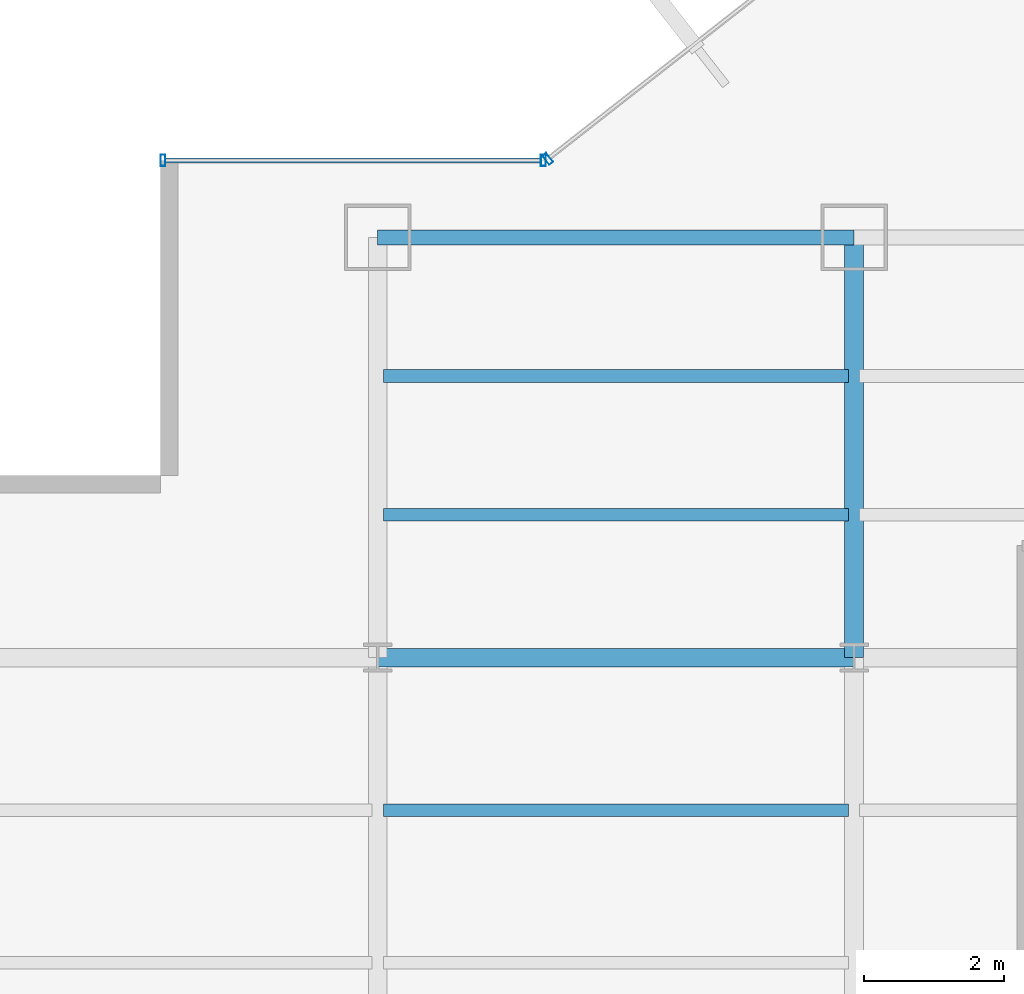
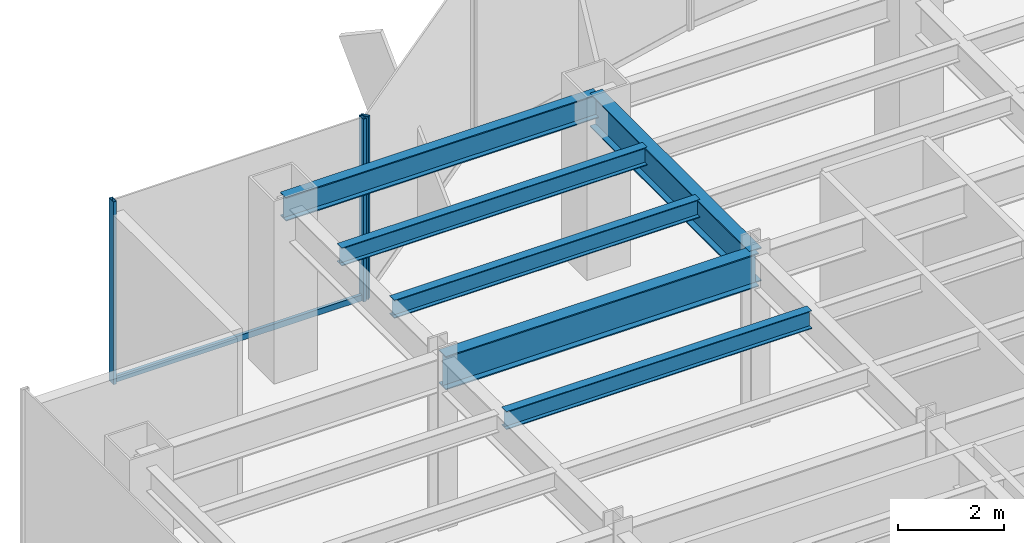
# One storey, part 17 of 35: 6 beams, 4 members, 2 elements without a shape of their own.
"""IFC4 building model written with IfcOpenShell, lengths in metres."""

from ifc_helpers import new_model, si_unit, derived_unit, direction, frame, origin, origin_2d, place, context, subcontext, project, spatial, hollow_rectangle, i_section, extrude, source, transform, mapped, material, material_profile, profile_set, type_object, element, aggregate, save


model = new_model("IFC4")

# Units and contexts
model_context = context("Model", 3, precision=1e-05, world=origin(), true_north=direction((0.0, 1.0)))
body_context = subcontext(model_context, "Body", "Model", "MODEL_VIEW")
ifc_project = project(units=[si_unit("LENGTHUNIT", "METRE"), si_unit("AREAUNIT", "SQUARE_METRE"), si_unit("VOLUMEUNIT", "CUBIC_METRE"), si_unit("PLANEANGLEUNIT", "RADIAN"), si_unit("MASSUNIT", "GRAM", prefix="KILO"), derived_unit("THERMALTRANSMITTANCEUNIT", [(si_unit("POWERUNIT", "WATT"), 1), (si_unit("LENGTHUNIT", "METRE"), -2), (si_unit("THERMODYNAMICTEMPERATUREUNIT", "KELVIN"), -1)])], contexts=[model_context])

# Site, building, storey
site_placement = place(None, origin())
site = spatial("IfcSite", under=ifc_project, at=site_placement, CompositionType="ELEMENT")
building_placement = place(site_placement, origin())
building = spatial("IfcBuilding", under=site, at=building_placement, Name="Skarnbrae Concourse Arena and Tower", CompositionType="ELEMENT")
storey_placement = place(building_placement, frame((0.0, 0.0, 79.949951171875)))
storey = spatial("IfcBuildingStorey", under=building, at=storey_placement, Name="L19", CompositionType="ELEMENT", Elevation=79.949951171875)

# Beams
ifc_material_1 = material(Name="Steel CSA G40.21 350W", Category="steel")
ifc_material_profile_1 = material_profile(ifc_material_1, i_section(OverallWidth=0.26806640625, OverallDepth=0.77001953125, WebThickness=0.015625, FlangeThickness=0.025390625, at=origin_2d()), Name="W760X196")
ifc_profile_set_1 = profile_set([ifc_material_profile_1], Name="Steel CSA G40.21 350W")
beam_type_1 = type_object("IfcBeamType", Name="BM-GIRD-W760X196", PredefinedType="BEAM", material=ifc_profile_set_1)
shared_shape_1 = source(origin(), body_context, "Body", "SweptSolid", [
    extrude(i_section(OverallWidth=0.26806640625, OverallDepth=0.77001953125, WebThickness=0.015625, FlangeThickness=0.025390625, at=origin_2d()), origin(), (0.0, 0.0, 1.0), 6.7998046875),
])
beam_1_placement = place(storey_placement, frame((7.60009765625, 34.39990234375, 3.51513671875), z_axis=(1.0, 0.0, 0.0), x_axis=(0.0, 1.0, 0.0)))
element("IfcBeam", 1, at=beam_1_placement, inside=storey, type_object=beam_type_1, Name="L19 Primary E-W girder Y34.4-2", PredefinedType="BEAM", context=body_context, shape_type="MappedRepresentation", body=[
    mapped(shared_shape_1, transform((0.0, 0.0, 0.0))),
])
shared_shape_2 = source(origin(), body_context, "Body", "SweptSolid", [
    extrude(i_section(OverallWidth=0.26806640625, OverallDepth=0.77001953125, WebThickness=0.015625, FlangeThickness=0.025390625, at=origin_2d()), origin(), (0.0, 0.0, 1.0), 6.0),
])
beam_2_placement = place(storey_placement, frame((14.39990234375, 34.39990234375, 3.51513671875), z_axis=(0.0, 1.0, 0.0), x_axis=(-1.0, 0.0, 0.0)))
element("IfcBeam", 2, at=beam_2_placement, inside=storey, type_object=beam_type_1, Name="L19 Primary N-S girder X14.4-4", PredefinedType="BEAM", context=body_context, shape_type="MappedRepresentation", body=[
    mapped(shared_shape_2, transform((0.0, 0.0, 0.0))),
])
ifc_material_profile_2 = material_profile(ifc_material_1, i_section(OverallWidth=0.214111328125, OverallDepth=0.549072265625, WebThickness=0.0146484375, FlangeThickness=0.023681640625, at=origin_2d()), Name="W530X138")
ifc_profile_set_2 = profile_set([ifc_material_profile_2], Name="Steel CSA G40.21 350W")
beam_type_2 = type_object("IfcBeamType", Name="BM-SPAN-W530X138", PredefinedType="SPANDREL", material=ifc_profile_set_2)
shared_shape_3 = source(origin(), body_context, "Body", "SweptSolid", [
    extrude(i_section(OverallWidth=0.214111328125, OverallDepth=0.549072265625, WebThickness=0.0146484375, FlangeThickness=0.023681640625, at=origin_2d()), origin(), (0.0, 0.0, 1.0), 6.7998046875),
])
beam_3_placement = place(storey_placement, frame((7.60009765625, 40.39990234375, 3.62548828125), z_axis=(1.0, 0.0, 0.0), x_axis=(0.0, 1.0, 0.0)))
element("IfcBeam", 3, at=beam_3_placement, inside=storey, type_object=beam_type_2, Name="L19 Perimeter spandrel Y40.4-1", PredefinedType="SPANDREL", context=body_context, shape_type="MappedRepresentation", body=[
    mapped(shared_shape_3, transform((0.0, 0.0, 0.0))),
])
ifc_material_profile_3 = material_profile(ifc_material_1, i_section(OverallWidth=0.180908203125, OverallDepth=0.4169921875, WebThickness=0.010986328125, FlangeThickness=0.018310546875, at=origin_2d()), Name="W410X85")
ifc_profile_set_3 = profile_set([ifc_material_profile_3], Name="Steel CSA G40.21 350W")
beam_type_3 = type_object("IfcBeamType", Name="BM-JOIST-W410X85", PredefinedType="JOIST", material=ifc_profile_set_3)
shared_shape_4 = source(origin(), body_context, "Body", "SweptSolid", [
    extrude(i_section(OverallWidth=0.180908203125, OverallDepth=0.4169921875, WebThickness=0.010986328125, FlangeThickness=0.018310546875, at=origin_2d()), origin(), (0.0, 0.0, 1.0), 6.64013671875),
])
for number, where, z_axis, x_axis, name in (
    (4, (7.679931640625, 32.221923828125, 3.691650390625), (1.0, 0.0, 0.0), (0.0, 1.0, 0.0), "L19 Secondary floor joist 3.2.2"),
    (5, (7.679931640625, 36.43994140625, 3.691650390625), (1.0, 0.0, 0.0), (0.0, 1.0, 0.0), "L19 Secondary floor joist 4.1.1"),
    (6, (7.679931640625, 38.419921875, 3.691650390625), (1.0, 0.0, 0.0), (0.0, 1.0, 0.0), "L19 Secondary floor joist 4.2.1"),
):
    element("IfcBeam", number, at=place(storey_placement, frame(where, z_axis=z_axis, x_axis=x_axis)), inside=storey, type_object=beam_type_3, Name=name, PredefinedType="JOIST", context=body_context, shape_type="MappedRepresentation", body=[
        mapped(shared_shape_4, transform((0.0, 0.0, 0.0))),
    ])

# Curtain wall, member
ifc_material_2 = material(Name="Bronze anodised aluminium 6063-T6", Category="aluminium")
curtain_wall_type = type_object("IfcCurtainWallType", Name="CW-SYS-06-SKYLOBBY", PredefinedType="USERDEFINED", material=ifc_material_2)
curtain_wall_1_placement = place(storey_placement, origin())
curtain_wall_1 = element("IfcCurtainWall", 7, at=curtain_wall_1_placement, inside=storey, type_object=curtain_wall_type, Name="L19 Unitised curtain wall CW-L19-E15", ObjectType="UNITISED CURTAIN WALL", PredefinedType="USERDEFINED")
ifc_material_profile_4 = material_profile(ifc_material_2, hollow_rectangle(XDim=0.070068359375, YDim=0.1650390625, WallThickness=0.00390625, at=origin_2d()), Name="ALU-MULL-70X165")
ifc_profile_set_4 = profile_set([ifc_material_profile_4], Name="Bronze anodised aluminium 6063-T6")
member_type_1 = type_object("IfcMemberType", Name="CWM-CW-06", PredefinedType="MULLION", material=ifc_profile_set_4)
shared_shape_5 = source(origin(), body_context, "Body", "SweptSolid", [
    extrude(hollow_rectangle(XDim=0.070068359375, YDim=0.1650390625, WallThickness=0.00390625, at=origin_2d()), origin(), (0.0, 0.0, 1.0), 4.199951171875),
])
member_1_placement = place(storey_placement, frame((10.027587890625, 41.521484375, 0.0), z_axis=(0.0, 0.0, 1.0), x_axis=(-0.787651726054, -0.616120733658, 0.0)))
member_1 = element("IfcMember", 8, at=member_1_placement, type_object=member_type_1, Name="CW-L19-E15 Mullion 2", PredefinedType="MULLION", context=body_context, shape_type="MappedRepresentation", body=[
    mapped(shared_shape_5, transform((0.0, 0.0, 0.0))),
])
aggregate(curtain_wall_1, [member_1])

# Curtain wall, members
curtain_wall_2_placement = place(storey_placement, origin())
curtain_wall_2 = element("IfcCurtainWall", 9, at=curtain_wall_2_placement, inside=storey, type_object=curtain_wall_type, Name="L19 Unitised curtain wall CW-L19-E16", ObjectType="UNITISED CURTAIN WALL", PredefinedType="USERDEFINED")
member_2_placement = place(storey_placement, frame((9.965087890625, 41.5, 0.0), z_axis=(0.0, 0.0, 1.0), x_axis=(-1.0, 0.0, 0.0)))
member_2 = element("IfcMember", 10, at=member_2_placement, type_object=member_type_1, Name="CW-L19-E16 Mullion 1", PredefinedType="MULLION", context=body_context, shape_type="MappedRepresentation", body=[
    mapped(shared_shape_5, transform((0.0, 0.0, 0.0))),
])
member_3_placement = place(storey_placement, frame((4.534912109375, 41.5, 0.0), z_axis=(0.0, 0.0, 1.0), x_axis=(-1.0, 0.0, 0.0)))
member_3 = element("IfcMember", 11, at=member_3_placement, type_object=member_type_1, Name="CW-L19-E16 Mullion 2", PredefinedType="MULLION", context=body_context, shape_type="MappedRepresentation", body=[
    mapped(shared_shape_5, transform((0.0, 0.0, 0.0))),
])
ifc_material_profile_5 = material_profile(ifc_material_2, hollow_rectangle(XDim=0.070068359375, YDim=0.135009765625, WallThickness=0.00390625, at=origin_2d()), Name="ALU-TRAN-70X135")
ifc_profile_set_5 = profile_set([ifc_material_profile_5], Name="Bronze anodised aluminium 6063-T6")
member_type_2 = type_object("IfcMemberType", Name="CWT-CW-06", PredefinedType="USERDEFINED", material=ifc_profile_set_5)
shared_shape_6 = source(origin(), body_context, "Body", "SweptSolid", [
    extrude(hollow_rectangle(XDim=0.070068359375, YDim=0.135009765625, WallThickness=0.00390625, at=origin_2d()), origin(), (0.0, 0.0, 1.0), 5.35986328125),
])
member_4_placement = place(storey_placement, frame((9.929931640625, 41.5, 0.067626953125), z_axis=(-1.0, 0.0, 0.0), x_axis=(0.0, -1.0, 0.0)))
member_4 = element("IfcMember", 12, at=member_4_placement, type_object=member_type_2, Name="CW-L19-E16 Transom 1", ObjectType="TRANSOM", PredefinedType="USERDEFINED", context=body_context, shape_type="MappedRepresentation", body=[
    mapped(shared_shape_6, transform((0.0, 0.0, 0.0))),
])
aggregate(curtain_wall_2, [member_2, member_3, member_4])

save(model, "model.ifc")
